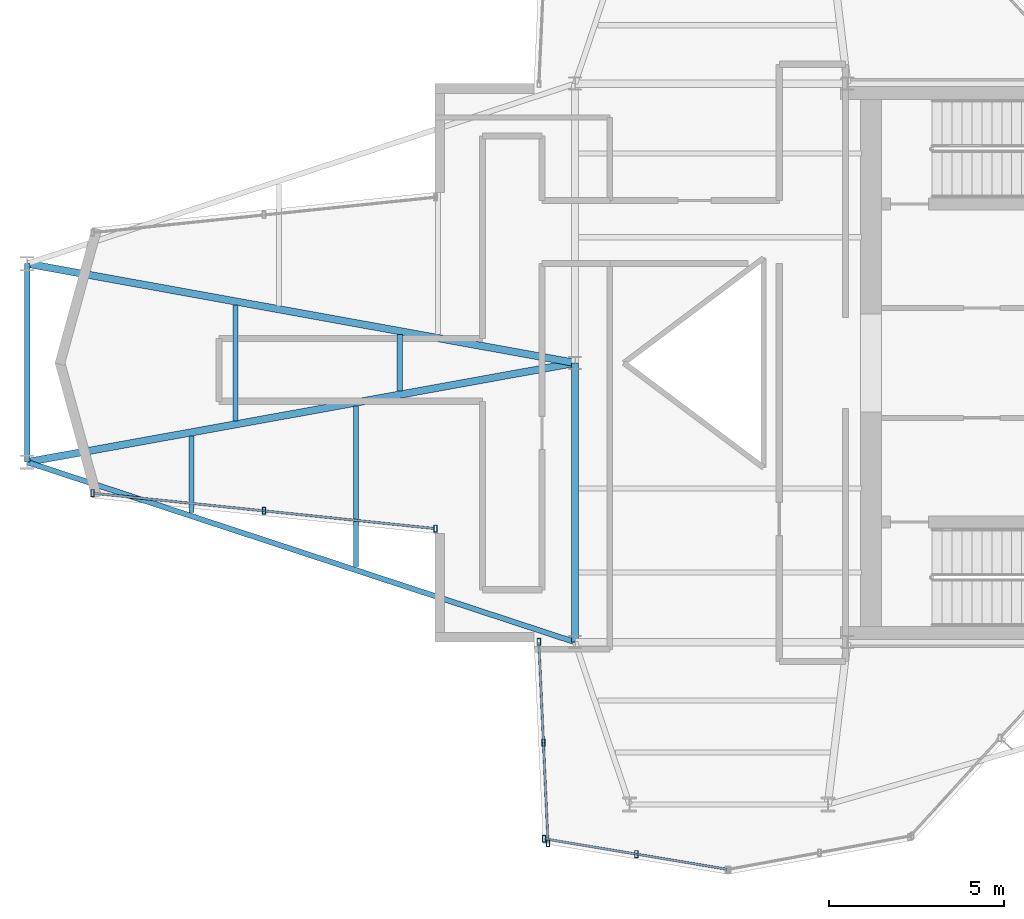
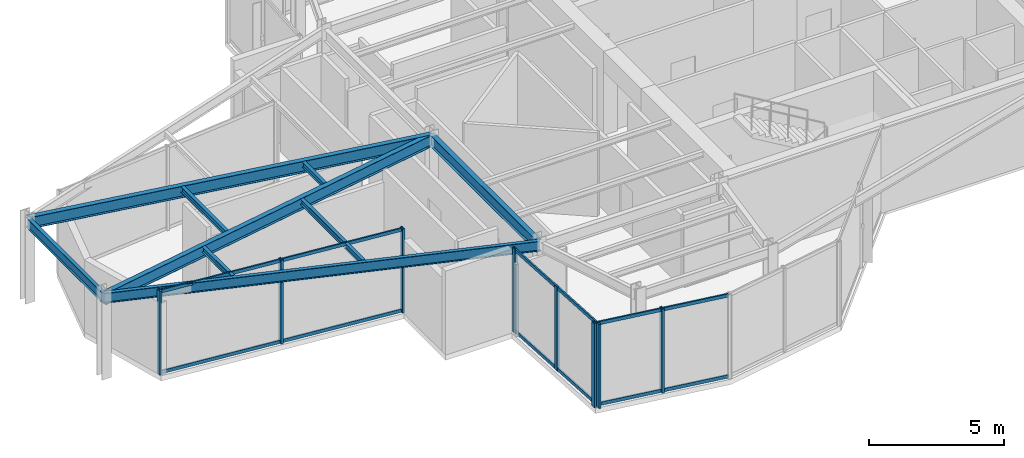
# One storey, part 2 of 13: 14 members, 9 beams, 3 elements without a shape of their own.
"""IFC4 building model written with IfcOpenShell, lengths in metres."""

from ifc_helpers import new_model, si_unit, direction, frame, origin, origin_2d, place, context, subcontext, project, spatial, hollow_rectangle, i_section, extrude, material, layer, layer_set, material_profile, profile_set, type_object, element, aggregate, save


model = new_model("IFC4")

# Units and contexts
model_context = context("Model", 3, precision=1e-05, world=origin(), true_north=direction((0.0, 1.0)))
body_context = subcontext(model_context, "Body", "Model", "MODEL_VIEW")
ifc_project = project(units=[si_unit("LENGTHUNIT", "METRE"), si_unit("AREAUNIT", "SQUARE_METRE"), si_unit("VOLUMEUNIT", "CUBIC_METRE"), si_unit("PLANEANGLEUNIT", "RADIAN"), si_unit("MASSUNIT", "GRAM", prefix="KILO")], contexts=[model_context])

# Site, building, storey
site_placement = place(None, origin())
site = spatial("IfcSite", under=ifc_project, at=site_placement, CompositionType="ELEMENT")
building_placement = place(site_placement, origin())
building = spatial("IfcBuilding", under=site, at=building_placement, Name="Veymaron Broadcast Tower", CompositionType="ELEMENT")
storey_placement = place(building_placement, frame((0.0, 0.0, 279.0)))
storey = spatial("IfcBuildingStorey", under=building, at=storey_placement, Name="L65", CompositionType="ELEMENT", Elevation=279.0)

# Beams
ifc_material_1 = material(Name="Structural steel ASTM A992 Gr 50", Category="steel")
ifc_material_profile_1 = material_profile(ifc_material_1, i_section(OverallWidth=0.208984375, OverallDepth=0.528076171875, WebThickness=0.009521484375, FlangeThickness=0.01318359375, at=origin_2d()), Name="W530X82")
ifc_profile_set_1 = profile_set([ifc_material_profile_1], Name="Structural steel ASTM A992 Gr 50")
beam_type_1 = type_object("IfcBeamType", Name="BM-FG4", PredefinedType="BEAM", material=ifc_profile_set_1)
beam_1_placement = place(storey_placement, frame((31.199951171875, 16.0, 3.5458984375), z_axis=(0.0, 1.0, 0.0), x_axis=(-1.0, 0.0, 0.0)))
element("IfcBeam", 1, at=beam_1_placement, inside=storey, type_object=beam_type_1, Name="L65 primary structural floor girder", PredefinedType="BEAM", context=body_context, shape_type="SweptSolid", body=[
    extrude(i_section(OverallWidth=0.208984375, OverallDepth=0.528076171875, WebThickness=0.009521484375, FlangeThickness=0.01318359375, at=origin_2d()), origin(), (0.0, 0.0, 1.0), 8.0),
])
for number, where, z_axis, x_axis, name in (
    (2, (15.50048828125, 21.157958984375, 3.5458984375), (0.984006484813, 0.178132641159, 0.0), (-0.178132641159, 0.984006484813, 0.0), "L65 primary structural floor girder"),
    (3, (15.50048828125, 26.842041015625, 3.5458984375), (0.984006484813, -0.178132641159, 0.0), (0.178132641159, 0.984006484813, 0.0), "L65 primary structural floor girder"),
):
    element("IfcBeam", number, at=place(storey_placement, frame(where, z_axis=z_axis, x_axis=x_axis)), inside=storey, type_object=beam_type_1, Name=name, PredefinedType="BEAM", context=body_context, shape_type="SweptSolid", body=[
        extrude(i_section(OverallWidth=0.208984375, OverallDepth=0.528076171875, WebThickness=0.009521484375, FlangeThickness=0.01318359375, at=origin_2d()), origin(), (0.0, 0.0, 1.0), 15.95458984375),
    ])
ifc_material_profile_2 = material_profile(ifc_material_1, i_section(OverallWidth=0.14599609375, OverallDepth=0.258056640625, WebThickness=0.006103515625, FlangeThickness=0.009033203125, at=origin_2d()), Name="W250X33")
ifc_profile_set_2 = profile_set([ifc_material_profile_2], Name="Structural steel ASTM A992 Gr 50")
beam_type_2 = type_object("IfcBeamType", Name="BM-JS4", PredefinedType="JOIST", material=ifc_profile_set_2)
beam_2_placement = place(storey_placement, frame((20.210205078125, 19.710693359375, 3.680908203125), z_axis=(0.0, 1.0, 0.0), x_axis=(-1.0, 0.0, 0.0)))
element("IfcBeam", 4, at=beam_2_placement, inside=storey, type_object=beam_type_2, Name="L65 Arm-A secondary joist 1S", PredefinedType="JOIST", context=body_context, shape_type="SweptSolid", body=[
    extrude(i_section(OverallWidth=0.14599609375, OverallDepth=0.258056640625, WebThickness=0.006103515625, FlangeThickness=0.009033203125, at=origin_2d()), origin(), (0.0, 0.0, 1.0), 2.199951171875),
])
beam_3_placement = place(storey_placement, frame((21.46630859375, 22.337890625, 3.680908203125), z_axis=(0.0, 1.0, 0.0), x_axis=(-1.0, 0.0, 0.0)))
element("IfcBeam", 5, at=beam_3_placement, inside=storey, type_object=beam_type_2, Name="L65 Arm-A secondary joist 1M", PredefinedType="JOIST", context=body_context, shape_type="SweptSolid", body=[
    extrude(i_section(OverallWidth=0.14599609375, OverallDepth=0.258056640625, WebThickness=0.006103515625, FlangeThickness=0.009033203125, at=origin_2d()), origin(), (0.0, 0.0, 1.0), 3.32421875),
])
beam_4_placement = place(storey_placement, frame((24.920166015625, 18.1630859375, 3.680908203125), z_axis=(0.0, 1.0, 0.0), x_axis=(-1.0, 0.0, 0.0)))
element("IfcBeam", 6, at=beam_4_placement, inside=storey, type_object=beam_type_2, Name="L65 Arm-A secondary joist 2S", PredefinedType="JOIST", context=body_context, shape_type="SweptSolid", body=[
    extrude(i_section(OverallWidth=0.14599609375, OverallDepth=0.258056640625, WebThickness=0.006103515625, FlangeThickness=0.009033203125, at=origin_2d()), origin(), (0.0, 0.0, 1.0), 4.60009765625),
])
beam_5_placement = place(storey_placement, frame((26.176025390625, 23.190673828125, 3.680908203125), z_axis=(0.0, 1.0, 0.0), x_axis=(-1.0, 0.0, 0.0)))
element("IfcBeam", 7, at=beam_5_placement, inside=storey, type_object=beam_type_2, Name="L65 Arm-A secondary joist 2M", PredefinedType="JOIST", context=body_context, shape_type="SweptSolid", body=[
    extrude(i_section(OverallWidth=0.14599609375, OverallDepth=0.258056640625, WebThickness=0.006103515625, FlangeThickness=0.009033203125, at=origin_2d()), origin(), (0.0, 0.0, 1.0), 1.61865234375),
])
ifc_material_profile_3 = material_profile(ifc_material_1, i_section(OverallWidth=0.154052734375, OverallDepth=0.458984375, WebThickness=0.009033203125, FlangeThickness=0.015380859375, at=origin_2d()), Name="W460X68")
ifc_profile_set_3 = profile_set([ifc_material_profile_3], Name="Structural steel ASTM A992 Gr 50")
beam_type_3 = type_object("IfcBeamType", Name="BM-SP2", PredefinedType="SPANDREL", material=ifc_profile_set_3)
beam_6_placement = place(storey_placement, frame((15.50048828125, 21.157958984375, 3.58056640625), z_axis=(0.950039572492, -0.31212947746, 0.0), x_axis=(0.31212947746, 0.950039572492, 0.0)))
element("IfcBeam", 8, at=beam_6_placement, inside=storey, type_object=beam_type_3, Name="L65 primary structural floor girder", PredefinedType="SPANDREL", context=body_context, shape_type="SweptSolid", body=[
    extrude(i_section(OverallWidth=0.154052734375, OverallDepth=0.458984375, WebThickness=0.009033203125, FlangeThickness=0.015380859375, at=origin_2d()), origin(), (0.0, 0.0, 1.0), 16.525146484375),
])
beam_7_placement = place(storey_placement, frame((15.50048828125, 21.157958984375, 3.58056640625), z_axis=(0.0, 1.0, 0.0), x_axis=(-1.0, 0.0, 0.0)))
element("IfcBeam", 9, at=beam_7_placement, inside=storey, type_object=beam_type_3, Name="L65 primary structural floor girder", PredefinedType="SPANDREL", context=body_context, shape_type="SweptSolid", body=[
    extrude(i_section(OverallWidth=0.154052734375, OverallDepth=0.458984375, WebThickness=0.009033203125, FlangeThickness=0.015380859375, at=origin_2d()), origin(), (0.0, 0.0, 1.0), 5.68408203125),
])

# Curtain wall, members
ifc_material_2 = material(Name="Anodised aluminium AA 6063-T6 and laminated low-E dark glass", Category="aluminium")
ifc_layer = layer(ifc_material_2, 0.179931640625)
ifc_layer_set = layer_set([ifc_layer], Name="Anodised aluminium AA 6063-T6 and laminated low-E dark glass")
curtain_wall_type = type_object("IfcCurtainWallType", Name="CW-SYS-06", PredefinedType="NOTDEFINED", material=ifc_layer_set)
curtain_wall_1_placement = place(storey_placement, origin())
curtain_wall_1 = element("IfcCurtainWall", 10, at=curtain_wall_1_placement, inside=storey, type_object=curtain_wall_type, Name="L65 dark-glass curtain wall CW-L65-E14-1", PredefinedType="NOTDEFINED")
ifc_material_3 = material(Name="Anodised aluminium AA 6063-T6", Category="aluminium")
ifc_material_profile_4 = material_profile(ifc_material_3, hollow_rectangle(XDim=0.10009765625, YDim=0.199951171875, WallThickness=0.010009765625, at=origin_2d()), Name="RHS200X100X10")
ifc_profile_set_4 = profile_set([ifc_material_profile_4], Name="Anodised aluminium AA 6063-T6")
member_type_1 = type_object("IfcMemberType", Name="CW-MUL-01", PredefinedType="MULLION", material=ifc_profile_set_4)
member_1_placement = place(storey_placement, frame((17.37451171875, 20.268798828125, 0.0), z_axis=(0.0, 0.0, 1.0), x_axis=(1.0, 0.0, 0.0)))
member_1 = element("IfcMember", 11, at=member_1_placement, type_object=member_type_1, Name="CW-L65-E14-1 mullion 0", PredefinedType="MULLION", context=body_context, shape_type="SweptSolid", body=[
    extrude(hollow_rectangle(XDim=0.10009765625, YDim=0.199951171875, WallThickness=0.010009765625, at=origin_2d()), origin(), (0.0, 0.0, 1.0), 3.81005859375),
])
member_2_placement = place(storey_placement, frame((22.287109375, 19.760986328125, 0.0), z_axis=(0.0, 0.0, 1.0), x_axis=(1.0, 0.0, 0.0)))
member_2 = element("IfcMember", 12, at=member_2_placement, type_object=member_type_1, Name="CW-L65-E14-1 mullion 1", PredefinedType="MULLION", context=body_context, shape_type="SweptSolid", body=[
    extrude(hollow_rectangle(XDim=0.10009765625, YDim=0.199951171875, WallThickness=0.010009765625, at=origin_2d()), origin(), (0.0, 0.0, 1.0), 3.81005859375),
])
member_3_placement = place(storey_placement, frame((27.199951171875, 19.25341796875, 0.0), z_axis=(0.0, 0.0, 1.0), x_axis=(1.0, 0.0, 0.0)))
member_3 = element("IfcMember", 13, at=member_3_placement, type_object=member_type_1, Name="CW-L65-E14-1 mullion 2", PredefinedType="MULLION", context=body_context, shape_type="SweptSolid", body=[
    extrude(hollow_rectangle(XDim=0.10009765625, YDim=0.199951171875, WallThickness=0.010009765625, at=origin_2d()), origin(), (0.0, 0.0, 1.0), 3.81005859375),
])

curtain_wall_2_placement = place(storey_placement, origin())
curtain_wall_2 = element("IfcCurtainWall", 14, at=curtain_wall_2_placement, inside=storey, type_object=curtain_wall_type, Name="L65 dark-glass curtain wall CW-L65-E17-1", PredefinedType="NOTDEFINED")
member_4_placement = place(storey_placement, frame((30.161865234375, 16.00634765625, 0.0), z_axis=(0.0, 0.0, 1.0), x_axis=(1.0, 0.0, 0.0)))
member_4 = element("IfcMember", 15, at=member_4_placement, type_object=member_type_1, Name="CW-L65-E17-1 mullion 0", PredefinedType="MULLION", context=body_context, shape_type="SweptSolid", body=[
    extrude(hollow_rectangle(XDim=0.10009765625, YDim=0.199951171875, WallThickness=0.010009765625, at=origin_2d()), origin(), (0.0, 0.0, 1.0), 3.81005859375),
])
member_5_placement = place(storey_placement, frame((30.293212890625, 13.121826171875, 0.0), z_axis=(0.0, 0.0, 1.0), x_axis=(1.0, 0.0, 0.0)))
member_5 = element("IfcMember", 16, at=member_5_placement, type_object=member_type_1, Name="CW-L65-E17-1 mullion 1", PredefinedType="MULLION", context=body_context, shape_type="SweptSolid", body=[
    extrude(hollow_rectangle(XDim=0.10009765625, YDim=0.199951171875, WallThickness=0.010009765625, at=origin_2d()), origin(), (0.0, 0.0, 1.0), 3.81005859375),
])
member_6_placement = place(storey_placement, frame((30.4248046875, 10.2373046875, 0.0), z_axis=(0.0, 0.0, 1.0), x_axis=(1.0, 0.0, 0.0)))
member_6 = element("IfcMember", 17, at=member_6_placement, type_object=member_type_1, Name="CW-L65-E17-1 mullion 2", PredefinedType="MULLION", context=body_context, shape_type="SweptSolid", body=[
    extrude(hollow_rectangle(XDim=0.10009765625, YDim=0.199951171875, WallThickness=0.010009765625, at=origin_2d()), origin(), (0.0, 0.0, 1.0), 3.81005859375),
])

curtain_wall_3_placement = place(storey_placement, origin())
curtain_wall_3 = element("IfcCurtainWall", 18, at=curtain_wall_3_placement, inside=storey, type_object=curtain_wall_type, Name="L65 dark-glass curtain wall CW-L65-E18-1", PredefinedType="NOTDEFINED")
member_7_placement = place(storey_placement, frame((30.307861328125, 10.368896484375, 0.0), z_axis=(0.0, 0.0, 1.0), x_axis=(1.0, 0.0, 0.0)))
member_7 = element("IfcMember", 19, at=member_7_placement, type_object=member_type_1, Name="CW-L65-E18-1 mullion 0", PredefinedType="MULLION", context=body_context, shape_type="SweptSolid", body=[
    extrude(hollow_rectangle(XDim=0.10009765625, YDim=0.199951171875, WallThickness=0.010009765625, at=origin_2d()), origin(), (0.0, 0.0, 1.0), 3.81005859375),
])
member_8_placement = place(storey_placement, frame((32.9560546875, 9.927001953125, 0.0), z_axis=(0.0, 0.0, 1.0), x_axis=(1.0, 0.0, 0.0)))
member_8 = element("IfcMember", 20, at=member_8_placement, type_object=member_type_1, Name="CW-L65-E18-1 mullion 1", PredefinedType="MULLION", context=body_context, shape_type="SweptSolid", body=[
    extrude(hollow_rectangle(XDim=0.10009765625, YDim=0.199951171875, WallThickness=0.010009765625, at=origin_2d()), origin(), (0.0, 0.0, 1.0), 3.81005859375),
])

# Member
ifc_material_profile_5 = material_profile(ifc_material_3, hollow_rectangle(XDim=0.06494140625, YDim=0.14990234375, WallThickness=0.00390625, at=origin_2d()), Name="AL150X65X4")
ifc_profile_set_5 = profile_set([ifc_material_profile_5], Name="Anodised aluminium AA 6063-T6")
member_type_2 = type_object("IfcMemberType", Name="CW-TRN-01", PredefinedType="USERDEFINED", material=ifc_profile_set_5)
member_9_placement = place(storey_placement, frame((17.424072265625, 20.263671875, 0.070068359375), z_axis=(0.994700162158, -0.10281822505, 0.0), x_axis=(0.10281822505, 0.994700162158, 0.0)))
member_9 = element("IfcMember", 21, at=member_9_placement, type_object=member_type_2, Name="CW-L65-E14-1 transom B", ObjectType="TRANSOM", PredefinedType="USERDEFINED", context=body_context, shape_type="SweptSolid", body=[
    extrude(hollow_rectangle(XDim=0.06494140625, YDim=0.14990234375, WallThickness=0.00390625, at=origin_2d()), origin(), (0.0, 0.0, 1.0), 9.778076171875),
])

member_10_placement = place(storey_placement, frame((17.424072265625, 20.263671875, 3.739990234375), z_axis=(0.994700162158, -0.10281822505, 0.0), x_axis=(0.10281822505, 0.994700162158, 0.0)))
member_10 = element("IfcMember", 22, at=member_10_placement, type_object=member_type_2, Name="CW-L65-E14-1 transom T", ObjectType="TRANSOM", PredefinedType="USERDEFINED", context=body_context, shape_type="SweptSolid", body=[
    extrude(hollow_rectangle(XDim=0.06494140625, YDim=0.14990234375, WallThickness=0.00390625, at=origin_2d()), origin(), (0.0, 0.0, 1.0), 9.778076171875),
])

aggregate(curtain_wall_1, [member_1, member_2, member_3, member_9, member_10])

member_11_placement = place(storey_placement, frame((30.164306640625, 15.95654296875, 0.070068359375), z_axis=(0.045470103559, -0.998965699953, 0.0), x_axis=(0.998965699953, 0.045470103559, 0.0)))
member_11 = element("IfcMember", 23, at=member_11_placement, type_object=member_type_2, Name="CW-L65-E17-1 transom B", ObjectType="TRANSOM", PredefinedType="USERDEFINED", context=body_context, shape_type="SweptSolid", body=[
    extrude(hollow_rectangle(XDim=0.06494140625, YDim=0.14990234375, WallThickness=0.00390625, at=origin_2d()), origin(), (0.0, 0.0, 1.0), 5.67529296875),
])

member_12_placement = place(storey_placement, frame((30.164306640625, 15.95654296875, 3.739990234375), z_axis=(0.045470103559, -0.998965699953, 0.0), x_axis=(0.998965699953, 0.045470103559, 0.0)))
member_12 = element("IfcMember", 24, at=member_12_placement, type_object=member_type_2, Name="CW-L65-E17-1 transom T", ObjectType="TRANSOM", PredefinedType="USERDEFINED", context=body_context, shape_type="SweptSolid", body=[
    extrude(hollow_rectangle(XDim=0.06494140625, YDim=0.14990234375, WallThickness=0.00390625, at=origin_2d()), origin(), (0.0, 0.0, 1.0), 5.67529296875),
])

aggregate(curtain_wall_2, [member_4, member_5, member_6, member_11, member_12])

member_13_placement = place(storey_placement, frame((30.357177734375, 10.360595703125, 0.070068359375), z_axis=(0.986358841104, -0.164609345347, 0.0), x_axis=(0.164609345347, 0.986358841104, 0.0)))
member_13 = element("IfcMember", 25, at=member_13_placement, type_object=member_type_2, Name="CW-L65-E18-1 transom B", ObjectType="TRANSOM", PredefinedType="USERDEFINED", context=body_context, shape_type="SweptSolid", body=[
    extrude(hollow_rectangle(XDim=0.06494140625, YDim=0.14990234375, WallThickness=0.00390625, at=origin_2d()), origin(), (0.0, 0.0, 1.0), 5.26953125),
])

member_14_placement = place(storey_placement, frame((30.357177734375, 10.360595703125, 3.739990234375), z_axis=(0.986358841104, -0.164609345347, 0.0), x_axis=(0.164609345347, 0.986358841104, 0.0)))
member_14 = element("IfcMember", 26, at=member_14_placement, type_object=member_type_2, Name="CW-L65-E18-1 transom T", ObjectType="TRANSOM", PredefinedType="USERDEFINED", context=body_context, shape_type="SweptSolid", body=[
    extrude(hollow_rectangle(XDim=0.06494140625, YDim=0.14990234375, WallThickness=0.00390625, at=origin_2d()), origin(), (0.0, 0.0, 1.0), 5.26953125),
])

aggregate(curtain_wall_3, [member_7, member_8, member_13, member_14])

save(model, "model.ifc")
